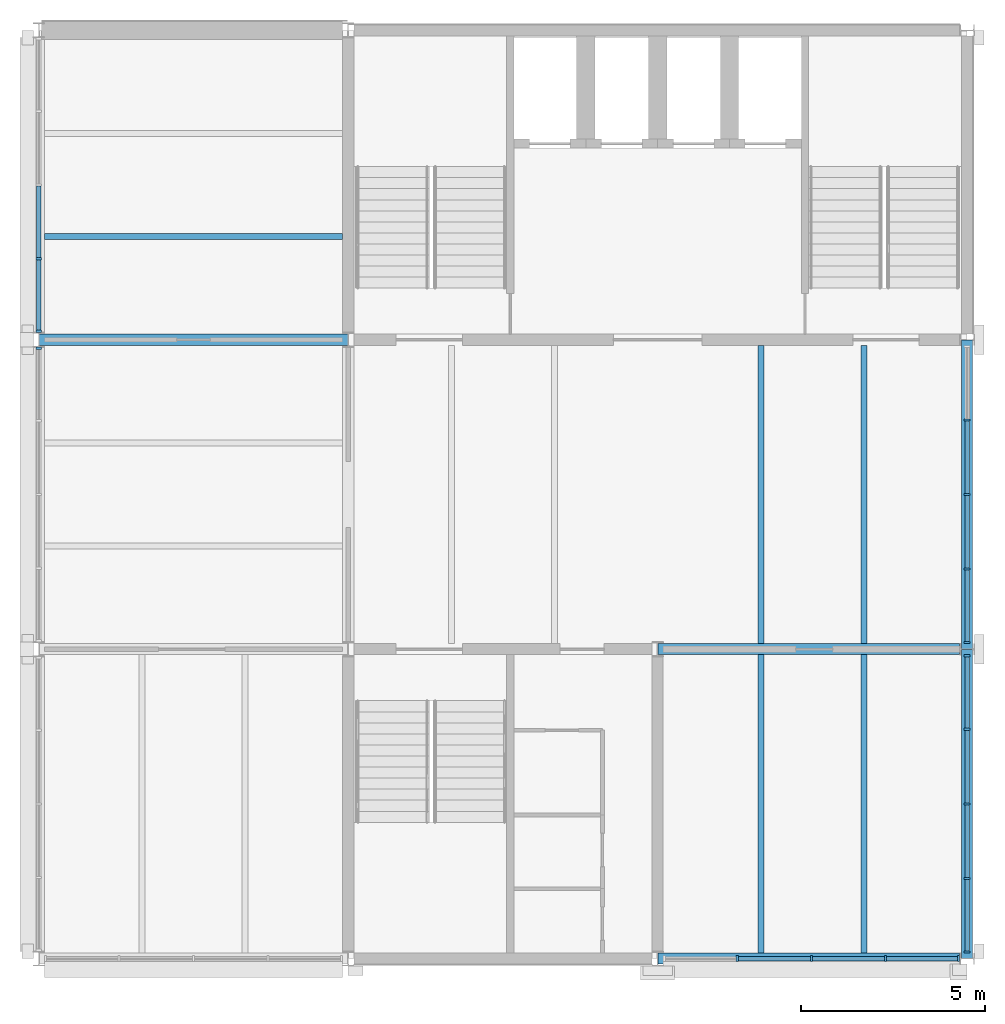
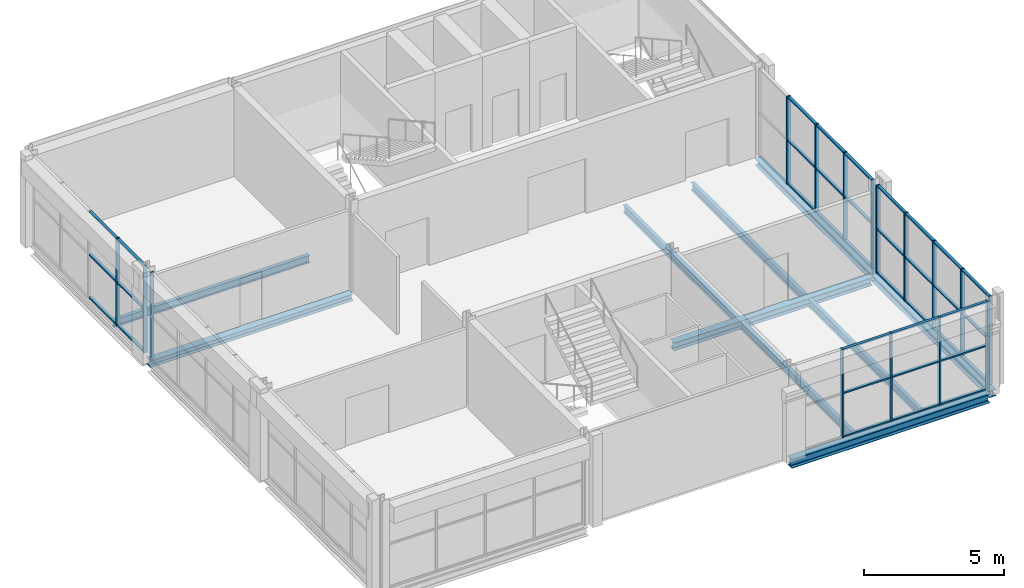
# One storey, part 3 of 8: 52 members, 10 beams, 5 elements without a shape of their own.
"""IFC4 building model written with IfcOpenShell, lengths in metres."""

from ifc_helpers import new_model, si_unit, direction, frame, origin, origin_2d, place, context, subcontext, project, spatial, rectangle, i_section, extrude, material, layer, layer_set, material_profile, profile_set, type_object, element, aggregate, save


model = new_model("IFC4")

# Units and contexts
model_context = context("Model", 3, precision=1e-05, world=origin(), true_north=direction((0.0, 1.0)))
body_context = subcontext(model_context, "Body", "Model", "MODEL_VIEW")
ifc_project = project(units=[si_unit("LENGTHUNIT", "METRE"), si_unit("AREAUNIT", "SQUARE_METRE"), si_unit("VOLUMEUNIT", "CUBIC_METRE"), si_unit("PLANEANGLEUNIT", "RADIAN"), si_unit("MASSUNIT", "GRAM", prefix="KILO")], contexts=[model_context])

# Site, building, storey
site_placement = place(None, origin())
site = spatial("IfcSite", under=ifc_project, at=site_placement, CompositionType="ELEMENT")
building_placement = place(site_placement, origin())
building = spatial("IfcBuilding", under=site, at=building_placement, Name="Galleria Vessillo Department Store", CompositionType="ELEMENT")
storey_placement = place(building_placement, frame((0.0, 0.0, 55.60009765625)))
storey = spatial("IfcBuildingStorey", under=building, at=storey_placement, Name="L12", CompositionType="ELEMENT", Elevation=55.60009765625)

# Curtain wall, member
ifc_material_1 = material(Name="Aluminium and glass curtain wall", Category="aluminium")
ifc_layer = layer(ifc_material_1, 0.159912109375)
ifc_layer_set = layer_set([ifc_layer], Name="Aluminium and glass curtain wall")
curtain_wall_type = type_object("IfcCurtainWallType", Name="Tower curtain wall CW4 2100 module", PredefinedType="NOTDEFINED", material=ifc_layer_set)
curtain_wall_1_placement = place(storey_placement, origin())
curtain_wall_1 = element("IfcCurtainWall", 1, at=curtain_wall_1_placement, inside=storey, type_object=curtain_wall_type, Name="Tower curtain wall CW4 2100 module TW-L12-02", PredefinedType="NOTDEFINED")
ifc_material_2 = material(Name="Aluminium alloy 6063 T6", Category="aluminium")
ifc_material_profile_1 = material_profile(ifc_material_2, rectangle(XDim=0.159912109375, YDim=0.06005859375, at=origin_2d()), Name="AL 60x160")
ifc_profile_set_1 = profile_set([ifc_material_profile_1], Name="Aluminium alloy 6063 T6")
member_type_1 = type_object("IfcMemberType", Name="Aluminium mullion 60 x 160", PredefinedType="MULLION", material=ifc_profile_set_1)
member_1_placement = place(storey_placement, frame((92.39990234375, 54.3701171875, 0.0), z_axis=(0.0, 0.0, 1.0), x_axis=(-1.0, 0.0, 0.0)))
member_1 = element("IfcMember", 2, at=member_1_placement, type_object=member_type_1, Name="CW4 mullion 5", PredefinedType="MULLION", context=body_context, shape_type="SweptSolid", body=[
    extrude(rectangle(XDim=0.159912109375, YDim=0.06005859375, at=origin_2d()), origin(), (0.0, 0.0, 1.0), 3.800048828125),
])
aggregate(curtain_wall_1, [member_1])

# Curtain wall, members
curtain_wall_2_placement = place(storey_placement, origin())
curtain_wall_2 = element("IfcCurtainWall", 3, at=curtain_wall_2_placement, inside=storey, type_object=curtain_wall_type, Name="Tower curtain wall CW4 2100 module TW-L12-03", PredefinedType="NOTDEFINED")
member_2_placement = place(storey_placement, frame((92.39990234375, 54.830078125, 0.0), z_axis=(0.0, 0.0, 1.0), x_axis=(-1.0, 0.0, 0.0)))
member_2 = element("IfcMember", 4, at=member_2_placement, type_object=member_type_1, Name="CW4 mullion 1", PredefinedType="MULLION", context=body_context, shape_type="SweptSolid", body=[
    extrude(rectangle(XDim=0.159912109375, YDim=0.06005859375, at=origin_2d()), origin(), (0.0, 0.0, 1.0), 3.800048828125),
])
member_3_placement = place(storey_placement, frame((92.39990234375, 56.800048828125, 0.0), z_axis=(0.0, 0.0, 1.0), x_axis=(-1.0, 0.0, 0.0)))
member_3 = element("IfcMember", 5, at=member_3_placement, type_object=member_type_1, Name="CW4 mullion 2", PredefinedType="MULLION", context=body_context, shape_type="SweptSolid", body=[
    extrude(rectangle(XDim=0.159912109375, YDim=0.06005859375, at=origin_2d()), origin(), (0.0, 0.0, 1.0), 3.800048828125),
])

curtain_wall_3_placement = place(storey_placement, origin())
curtain_wall_3 = element("IfcCurtainWall", 6, at=curtain_wall_3_placement, inside=storey, type_object=curtain_wall_type, Name="Tower curtain wall CW4 2100 module TS-L12-02", PredefinedType="NOTDEFINED")
member_4_placement = place(storey_placement, frame((111.362548828125, 37.800048828125, 0.0), z_axis=(0.0, 0.0, 1.0), x_axis=(0.0, 1.0, 0.0)))
member_4 = element("IfcMember", 7, at=member_4_placement, type_object=member_type_1, Name="CW4 mullion 2", PredefinedType="MULLION", context=body_context, shape_type="SweptSolid", body=[
    extrude(rectangle(XDim=0.159912109375, YDim=0.06005859375, at=origin_2d()), origin(), (0.0, 0.0, 1.0), 3.85009765625),
])
member_5_placement = place(storey_placement, frame((113.375, 37.800048828125, 0.0), z_axis=(0.0, 0.0, 1.0), x_axis=(0.0, 1.0, 0.0)))
member_5 = element("IfcMember", 8, at=member_5_placement, type_object=member_type_1, Name="CW4 mullion 3", PredefinedType="MULLION", context=body_context, shape_type="SweptSolid", body=[
    extrude(rectangle(XDim=0.159912109375, YDim=0.06005859375, at=origin_2d()), origin(), (0.0, 0.0, 1.0), 3.85009765625),
])
member_6_placement = place(storey_placement, frame((115.387451171875, 37.800048828125, 0.0), z_axis=(0.0, 0.0, 1.0), x_axis=(0.0, 1.0, 0.0)))
member_6 = element("IfcMember", 9, at=member_6_placement, type_object=member_type_1, Name="CW4 mullion 4", PredefinedType="MULLION", context=body_context, shape_type="SweptSolid", body=[
    extrude(rectangle(XDim=0.159912109375, YDim=0.06005859375, at=origin_2d()), origin(), (0.0, 0.0, 1.0), 3.85009765625),
])
member_7_placement = place(storey_placement, frame((117.3701171875, 37.800048828125, 0.0), z_axis=(0.0, 0.0, 1.0), x_axis=(0.0, 1.0, 0.0)))
member_7 = element("IfcMember", 10, at=member_7_placement, type_object=member_type_1, Name="CW4 mullion 5", PredefinedType="MULLION", context=body_context, shape_type="SweptSolid", body=[
    extrude(rectangle(XDim=0.159912109375, YDim=0.06005859375, at=origin_2d()), origin(), (0.0, 0.0, 1.0), 3.85009765625),
])

curtain_wall_4_placement = place(storey_placement, origin())
curtain_wall_4 = element("IfcCurtainWall", 11, at=curtain_wall_4_placement, inside=storey, type_object=curtain_wall_type, Name="Tower curtain wall CW4 2100 module TE-L12-01", PredefinedType="NOTDEFINED")
member_8_placement = place(storey_placement, frame((117.60009765625, 37.97998046875, 0.0), z_axis=(0.0, 0.0, 1.0), x_axis=(-1.0, 0.0, 0.0)))
member_8 = element("IfcMember", 12, at=member_8_placement, type_object=member_type_1, Name="CW4 mullion 1", PredefinedType="MULLION", context=body_context, shape_type="SweptSolid", body=[
    extrude(rectangle(XDim=0.159912109375, YDim=0.06005859375, at=origin_2d()), origin(), (0.0, 0.0, 1.0), 3.85009765625),
])
member_9_placement = place(storey_placement, frame((117.60009765625, 39.97509765625, 0.0), z_axis=(0.0, 0.0, 1.0), x_axis=(-1.0, 0.0, 0.0)))
member_9 = element("IfcMember", 13, at=member_9_placement, type_object=member_type_1, Name="CW4 mullion 2", PredefinedType="MULLION", context=body_context, shape_type="SweptSolid", body=[
    extrude(rectangle(XDim=0.159912109375, YDim=0.06005859375, at=origin_2d()), origin(), (0.0, 0.0, 1.0), 3.85009765625),
])
member_10_placement = place(storey_placement, frame((117.60009765625, 42.0, 0.0), z_axis=(0.0, 0.0, 1.0), x_axis=(-1.0, 0.0, 0.0)))
member_10 = element("IfcMember", 14, at=member_10_placement, type_object=member_type_1, Name="CW4 mullion 3", PredefinedType="MULLION", context=body_context, shape_type="SweptSolid", body=[
    extrude(rectangle(XDim=0.159912109375, YDim=0.06005859375, at=origin_2d()), origin(), (0.0, 0.0, 1.0), 3.85009765625),
])
member_11_placement = place(storey_placement, frame((117.60009765625, 44.02490234375, 0.0), z_axis=(0.0, 0.0, 1.0), x_axis=(-1.0, 0.0, 0.0)))
member_11 = element("IfcMember", 15, at=member_11_placement, type_object=member_type_1, Name="CW4 mullion 4", PredefinedType="MULLION", context=body_context, shape_type="SweptSolid", body=[
    extrude(rectangle(XDim=0.159912109375, YDim=0.06005859375, at=origin_2d()), origin(), (0.0, 0.0, 1.0), 3.85009765625),
])
member_12_placement = place(storey_placement, frame((117.60009765625, 46.02001953125, 0.0), z_axis=(0.0, 0.0, 1.0), x_axis=(-1.0, 0.0, 0.0)))
member_12 = element("IfcMember", 16, at=member_12_placement, type_object=member_type_1, Name="CW4 mullion 5", PredefinedType="MULLION", context=body_context, shape_type="SweptSolid", body=[
    extrude(rectangle(XDim=0.159912109375, YDim=0.06005859375, at=origin_2d()), origin(), (0.0, 0.0, 1.0), 3.85009765625),
])

curtain_wall_5_placement = place(storey_placement, origin())
curtain_wall_5 = element("IfcCurtainWall", 17, at=curtain_wall_5_placement, inside=storey, type_object=curtain_wall_type, Name="Tower curtain wall CW4 2100 module TE-L12-02", PredefinedType="NOTDEFINED")
member_13_placement = place(storey_placement, frame((117.60009765625, 46.3798828125, 0.0), z_axis=(0.0, 0.0, 1.0), x_axis=(-1.0, 0.0, 0.0)))
member_13 = element("IfcMember", 18, at=member_13_placement, type_object=member_type_1, Name="CW4 mullion 1", PredefinedType="MULLION", context=body_context, shape_type="SweptSolid", body=[
    extrude(rectangle(XDim=0.159912109375, YDim=0.06005859375, at=origin_2d()), origin(), (0.0, 0.0, 1.0), 3.85009765625),
])
member_14_placement = place(storey_placement, frame((117.60009765625, 48.375, 0.0), z_axis=(0.0, 0.0, 1.0), x_axis=(-1.0, 0.0, 0.0)))
member_14 = element("IfcMember", 19, at=member_14_placement, type_object=member_type_1, Name="CW4 mullion 2", PredefinedType="MULLION", context=body_context, shape_type="SweptSolid", body=[
    extrude(rectangle(XDim=0.159912109375, YDim=0.06005859375, at=origin_2d()), origin(), (0.0, 0.0, 1.0), 3.85009765625),
])
member_15_placement = place(storey_placement, frame((117.60009765625, 50.39990234375, 0.0), z_axis=(0.0, 0.0, 1.0), x_axis=(-1.0, 0.0, 0.0)))
member_15 = element("IfcMember", 20, at=member_15_placement, type_object=member_type_1, Name="CW4 mullion 3", PredefinedType="MULLION", context=body_context, shape_type="SweptSolid", body=[
    extrude(rectangle(XDim=0.159912109375, YDim=0.06005859375, at=origin_2d()), origin(), (0.0, 0.0, 1.0), 3.85009765625),
])
member_16_placement = place(storey_placement, frame((117.60009765625, 52.425048828125, 0.0), z_axis=(0.0, 0.0, 1.0), x_axis=(-1.0, 0.0, 0.0)))
member_16 = element("IfcMember", 21, at=member_16_placement, type_object=member_type_1, Name="CW4 mullion 4", PredefinedType="MULLION", context=body_context, shape_type="SweptSolid", body=[
    extrude(rectangle(XDim=0.159912109375, YDim=0.06005859375, at=origin_2d()), origin(), (0.0, 0.0, 1.0), 3.85009765625),
])

# Member
ifc_material_3 = material(Name="Aluminium alloy 6063 T6", Category="aluminium")
ifc_material_profile_2 = material_profile(ifc_material_3, rectangle(XDim=0.1201171875, YDim=0.06005859375, at=origin_2d()), Name="AL 60x120")
ifc_profile_set_2 = profile_set([ifc_material_profile_2], Name="Aluminium alloy 6063 T6")
member_type_2 = type_object("IfcMemberType", Name="Aluminium transom 60 x 120", PredefinedType="USERDEFINED", material=ifc_profile_set_2)
member_17_placement = place(storey_placement, frame((92.39990234375, 54.860107421875, 0.030029296875), z_axis=(0.0, 1.0, 0.0), x_axis=(-1.0, 0.0, 0.0)))
member_17 = element("IfcMember", 22, at=member_17_placement, type_object=member_type_2, Name="CW4 transom 1.1", ObjectType="TRANSOM", PredefinedType="USERDEFINED", context=body_context, shape_type="SweptSolid", body=[
    extrude(rectangle(XDim=0.1201171875, YDim=0.06005859375, at=origin_2d()), origin(), (0.0, 0.0, 1.0), 1.909912109375),
])

member_18_placement = place(storey_placement, frame((92.39990234375, 54.860107421875, 1.89990234375), z_axis=(0.0, 1.0, 0.0), x_axis=(-1.0, 0.0, 0.0)))
member_18 = element("IfcMember", 23, at=member_18_placement, type_object=member_type_2, Name="CW4 transom 1.2", ObjectType="TRANSOM", PredefinedType="USERDEFINED", context=body_context, shape_type="SweptSolid", body=[
    extrude(rectangle(XDim=0.1201171875, YDim=0.06005859375, at=origin_2d()), origin(), (0.0, 0.0, 1.0), 1.909912109375),
])

member_19_placement = place(storey_placement, frame((92.39990234375, 54.860107421875, 3.77001953125), z_axis=(0.0, 1.0, 0.0), x_axis=(-1.0, 0.0, 0.0)))
member_19 = element("IfcMember", 24, at=member_19_placement, type_object=member_type_2, Name="CW4 transom 1.3", ObjectType="TRANSOM", PredefinedType="USERDEFINED", context=body_context, shape_type="SweptSolid", body=[
    extrude(rectangle(XDim=0.1201171875, YDim=0.06005859375, at=origin_2d()), origin(), (0.0, 0.0, 1.0), 1.909912109375),
])

member_20_placement = place(storey_placement, frame((92.39990234375, 56.830078125, 0.030029296875), z_axis=(0.0, 1.0, 0.0), x_axis=(-1.0, 0.0, 0.0)))
member_20 = element("IfcMember", 25, at=member_20_placement, type_object=member_type_2, Name="CW4 transom 2.1", ObjectType="TRANSOM", PredefinedType="USERDEFINED", context=body_context, shape_type="SweptSolid", body=[
    extrude(rectangle(XDim=0.1201171875, YDim=0.06005859375, at=origin_2d()), origin(), (0.0, 0.0, 1.0), 1.93994140625),
])

member_21_placement = place(storey_placement, frame((92.39990234375, 56.830078125, 1.89990234375), z_axis=(0.0, 1.0, 0.0), x_axis=(-1.0, 0.0, 0.0)))
member_21 = element("IfcMember", 26, at=member_21_placement, type_object=member_type_2, Name="CW4 transom 2.2", ObjectType="TRANSOM", PredefinedType="USERDEFINED", context=body_context, shape_type="SweptSolid", body=[
    extrude(rectangle(XDim=0.1201171875, YDim=0.06005859375, at=origin_2d()), origin(), (0.0, 0.0, 1.0), 1.93994140625),
])

member_22_placement = place(storey_placement, frame((92.39990234375, 56.830078125, 3.77001953125), z_axis=(0.0, 1.0, 0.0), x_axis=(-1.0, 0.0, 0.0)))
member_22 = element("IfcMember", 27, at=member_22_placement, type_object=member_type_2, Name="CW4 transom 2.3", ObjectType="TRANSOM", PredefinedType="USERDEFINED", context=body_context, shape_type="SweptSolid", body=[
    extrude(rectangle(XDim=0.1201171875, YDim=0.06005859375, at=origin_2d()), origin(), (0.0, 0.0, 1.0), 1.93994140625),
])

aggregate(curtain_wall_2, [member_2, member_3, member_17, member_18, member_19, member_20, member_21, member_22])

member_23_placement = place(storey_placement, frame((111.392333984375, 37.800048828125, 0.030029296875), z_axis=(1.0, 0.0, 0.0), x_axis=(0.0, 1.0, 0.0)))
member_23 = element("IfcMember", 28, at=member_23_placement, type_object=member_type_2, Name="CW4 transom 2.1", ObjectType="TRANSOM", PredefinedType="USERDEFINED", context=body_context, shape_type="SweptSolid", body=[
    extrude(rectangle(XDim=0.1201171875, YDim=0.06005859375, at=origin_2d()), origin(), (0.0, 0.0, 1.0), 1.95263671875),
])

member_24_placement = place(storey_placement, frame((111.392333984375, 37.800048828125, 1.925048828125), z_axis=(1.0, 0.0, 0.0), x_axis=(0.0, 1.0, 0.0)))
member_24 = element("IfcMember", 29, at=member_24_placement, type_object=member_type_2, Name="CW4 transom 2.2", ObjectType="TRANSOM", PredefinedType="USERDEFINED", context=body_context, shape_type="SweptSolid", body=[
    extrude(rectangle(XDim=0.1201171875, YDim=0.06005859375, at=origin_2d()), origin(), (0.0, 0.0, 1.0), 1.95263671875),
])

member_25_placement = place(storey_placement, frame((111.392333984375, 37.800048828125, 3.820068359375), z_axis=(1.0, 0.0, 0.0), x_axis=(0.0, 1.0, 0.0)))
member_25 = element("IfcMember", 30, at=member_25_placement, type_object=member_type_2, Name="CW4 transom 2.3", ObjectType="TRANSOM", PredefinedType="USERDEFINED", context=body_context, shape_type="SweptSolid", body=[
    extrude(rectangle(XDim=0.1201171875, YDim=0.06005859375, at=origin_2d()), origin(), (0.0, 0.0, 1.0), 1.95263671875),
])

member_26_placement = place(storey_placement, frame((113.405029296875, 37.800048828125, 0.030029296875), z_axis=(1.0, 0.0, 0.0), x_axis=(0.0, 1.0, 0.0)))
member_26 = element("IfcMember", 31, at=member_26_placement, type_object=member_type_2, Name="CW4 transom 3.1", ObjectType="TRANSOM", PredefinedType="USERDEFINED", context=body_context, shape_type="SweptSolid", body=[
    extrude(rectangle(XDim=0.1201171875, YDim=0.06005859375, at=origin_2d()), origin(), (0.0, 0.0, 1.0), 1.95263671875),
])

member_27_placement = place(storey_placement, frame((113.405029296875, 37.800048828125, 1.925048828125), z_axis=(1.0, 0.0, 0.0), x_axis=(0.0, 1.0, 0.0)))
member_27 = element("IfcMember", 32, at=member_27_placement, type_object=member_type_2, Name="CW4 transom 3.2", ObjectType="TRANSOM", PredefinedType="USERDEFINED", context=body_context, shape_type="SweptSolid", body=[
    extrude(rectangle(XDim=0.1201171875, YDim=0.06005859375, at=origin_2d()), origin(), (0.0, 0.0, 1.0), 1.95263671875),
])

member_28_placement = place(storey_placement, frame((113.405029296875, 37.800048828125, 3.820068359375), z_axis=(1.0, 0.0, 0.0), x_axis=(0.0, 1.0, 0.0)))
member_28 = element("IfcMember", 33, at=member_28_placement, type_object=member_type_2, Name="CW4 transom 3.3", ObjectType="TRANSOM", PredefinedType="USERDEFINED", context=body_context, shape_type="SweptSolid", body=[
    extrude(rectangle(XDim=0.1201171875, YDim=0.06005859375, at=origin_2d()), origin(), (0.0, 0.0, 1.0), 1.95263671875),
])

member_29_placement = place(storey_placement, frame((115.41748046875, 37.800048828125, 0.030029296875), z_axis=(1.0, 0.0, 0.0), x_axis=(0.0, 1.0, 0.0)))
member_29 = element("IfcMember", 34, at=member_29_placement, type_object=member_type_2, Name="CW4 transom 4.1", ObjectType="TRANSOM", PredefinedType="USERDEFINED", context=body_context, shape_type="SweptSolid", body=[
    extrude(rectangle(XDim=0.1201171875, YDim=0.06005859375, at=origin_2d()), origin(), (0.0, 0.0, 1.0), 1.922607421875),
])

member_30_placement = place(storey_placement, frame((115.41748046875, 37.800048828125, 1.925048828125), z_axis=(1.0, 0.0, 0.0), x_axis=(0.0, 1.0, 0.0)))
member_30 = element("IfcMember", 35, at=member_30_placement, type_object=member_type_2, Name="CW4 transom 4.2", ObjectType="TRANSOM", PredefinedType="USERDEFINED", context=body_context, shape_type="SweptSolid", body=[
    extrude(rectangle(XDim=0.1201171875, YDim=0.06005859375, at=origin_2d()), origin(), (0.0, 0.0, 1.0), 1.922607421875),
])

member_31_placement = place(storey_placement, frame((115.41748046875, 37.800048828125, 3.820068359375), z_axis=(1.0, 0.0, 0.0), x_axis=(0.0, 1.0, 0.0)))
member_31 = element("IfcMember", 36, at=member_31_placement, type_object=member_type_2, Name="CW4 transom 4.3", ObjectType="TRANSOM", PredefinedType="USERDEFINED", context=body_context, shape_type="SweptSolid", body=[
    extrude(rectangle(XDim=0.1201171875, YDim=0.06005859375, at=origin_2d()), origin(), (0.0, 0.0, 1.0), 1.922607421875),
])

aggregate(curtain_wall_3, [member_4, member_5, member_6, member_7, member_23, member_24, member_25, member_26, member_27, member_28, member_29, member_30, member_31])

member_32_placement = place(storey_placement, frame((117.60009765625, 38.010009765625, 0.030029296875), z_axis=(0.0, 1.0, 0.0), x_axis=(-1.0, 0.0, 0.0)))
member_32 = element("IfcMember", 37, at=member_32_placement, type_object=member_type_2, Name="CW4 transom 1.1", ObjectType="TRANSOM", PredefinedType="USERDEFINED", context=body_context, shape_type="SweptSolid", body=[
    extrude(rectangle(XDim=0.1201171875, YDim=0.06005859375, at=origin_2d()), origin(), (0.0, 0.0, 1.0), 1.93505859375),
])

member_33_placement = place(storey_placement, frame((117.60009765625, 38.010009765625, 1.925048828125), z_axis=(0.0, 1.0, 0.0), x_axis=(-1.0, 0.0, 0.0)))
member_33 = element("IfcMember", 38, at=member_33_placement, type_object=member_type_2, Name="CW4 transom 1.2", ObjectType="TRANSOM", PredefinedType="USERDEFINED", context=body_context, shape_type="SweptSolid", body=[
    extrude(rectangle(XDim=0.1201171875, YDim=0.06005859375, at=origin_2d()), origin(), (0.0, 0.0, 1.0), 1.93505859375),
])

member_34_placement = place(storey_placement, frame((117.60009765625, 38.010009765625, 3.820068359375), z_axis=(0.0, 1.0, 0.0), x_axis=(-1.0, 0.0, 0.0)))
member_34 = element("IfcMember", 39, at=member_34_placement, type_object=member_type_2, Name="CW4 transom 1.3", ObjectType="TRANSOM", PredefinedType="USERDEFINED", context=body_context, shape_type="SweptSolid", body=[
    extrude(rectangle(XDim=0.1201171875, YDim=0.06005859375, at=origin_2d()), origin(), (0.0, 0.0, 1.0), 1.93505859375),
])

member_35_placement = place(storey_placement, frame((117.60009765625, 40.0048828125, 0.030029296875), z_axis=(0.0, 1.0, 0.0), x_axis=(-1.0, 0.0, 0.0)))
member_35 = element("IfcMember", 40, at=member_35_placement, type_object=member_type_2, Name="CW4 transom 2.1", ObjectType="TRANSOM", PredefinedType="USERDEFINED", context=body_context, shape_type="SweptSolid", body=[
    extrude(rectangle(XDim=0.1201171875, YDim=0.06005859375, at=origin_2d()), origin(), (0.0, 0.0, 1.0), 1.965087890625),
])

member_36_placement = place(storey_placement, frame((117.60009765625, 40.0048828125, 1.925048828125), z_axis=(0.0, 1.0, 0.0), x_axis=(-1.0, 0.0, 0.0)))
member_36 = element("IfcMember", 41, at=member_36_placement, type_object=member_type_2, Name="CW4 transom 2.2", ObjectType="TRANSOM", PredefinedType="USERDEFINED", context=body_context, shape_type="SweptSolid", body=[
    extrude(rectangle(XDim=0.1201171875, YDim=0.06005859375, at=origin_2d()), origin(), (0.0, 0.0, 1.0), 1.965087890625),
])

member_37_placement = place(storey_placement, frame((117.60009765625, 40.0048828125, 3.820068359375), z_axis=(0.0, 1.0, 0.0), x_axis=(-1.0, 0.0, 0.0)))
member_37 = element("IfcMember", 42, at=member_37_placement, type_object=member_type_2, Name="CW4 transom 2.3", ObjectType="TRANSOM", PredefinedType="USERDEFINED", context=body_context, shape_type="SweptSolid", body=[
    extrude(rectangle(XDim=0.1201171875, YDim=0.06005859375, at=origin_2d()), origin(), (0.0, 0.0, 1.0), 1.965087890625),
])

member_38_placement = place(storey_placement, frame((117.60009765625, 42.030029296875, 0.030029296875), z_axis=(0.0, 1.0, 0.0), x_axis=(-1.0, 0.0, 0.0)))
member_38 = element("IfcMember", 43, at=member_38_placement, type_object=member_type_2, Name="CW4 transom 3.1", ObjectType="TRANSOM", PredefinedType="USERDEFINED", context=body_context, shape_type="SweptSolid", body=[
    extrude(rectangle(XDim=0.1201171875, YDim=0.06005859375, at=origin_2d()), origin(), (0.0, 0.0, 1.0), 1.965087890625),
])

member_39_placement = place(storey_placement, frame((117.60009765625, 42.030029296875, 1.925048828125), z_axis=(0.0, 1.0, 0.0), x_axis=(-1.0, 0.0, 0.0)))
member_39 = element("IfcMember", 44, at=member_39_placement, type_object=member_type_2, Name="CW4 transom 3.2", ObjectType="TRANSOM", PredefinedType="USERDEFINED", context=body_context, shape_type="SweptSolid", body=[
    extrude(rectangle(XDim=0.1201171875, YDim=0.06005859375, at=origin_2d()), origin(), (0.0, 0.0, 1.0), 1.965087890625),
])

member_40_placement = place(storey_placement, frame((117.60009765625, 42.030029296875, 3.820068359375), z_axis=(0.0, 1.0, 0.0), x_axis=(-1.0, 0.0, 0.0)))
member_40 = element("IfcMember", 45, at=member_40_placement, type_object=member_type_2, Name="CW4 transom 3.3", ObjectType="TRANSOM", PredefinedType="USERDEFINED", context=body_context, shape_type="SweptSolid", body=[
    extrude(rectangle(XDim=0.1201171875, YDim=0.06005859375, at=origin_2d()), origin(), (0.0, 0.0, 1.0), 1.965087890625),
])

member_41_placement = place(storey_placement, frame((117.60009765625, 44.054931640625, 0.030029296875), z_axis=(0.0, 1.0, 0.0), x_axis=(-1.0, 0.0, 0.0)))
member_41 = element("IfcMember", 46, at=member_41_placement, type_object=member_type_2, Name="CW4 transom 4.1", ObjectType="TRANSOM", PredefinedType="USERDEFINED", context=body_context, shape_type="SweptSolid", body=[
    extrude(rectangle(XDim=0.1201171875, YDim=0.06005859375, at=origin_2d()), origin(), (0.0, 0.0, 1.0), 1.93505859375),
])

member_42_placement = place(storey_placement, frame((117.60009765625, 44.054931640625, 1.925048828125), z_axis=(0.0, 1.0, 0.0), x_axis=(-1.0, 0.0, 0.0)))
member_42 = element("IfcMember", 47, at=member_42_placement, type_object=member_type_2, Name="CW4 transom 4.2", ObjectType="TRANSOM", PredefinedType="USERDEFINED", context=body_context, shape_type="SweptSolid", body=[
    extrude(rectangle(XDim=0.1201171875, YDim=0.06005859375, at=origin_2d()), origin(), (0.0, 0.0, 1.0), 1.93505859375),
])

member_43_placement = place(storey_placement, frame((117.60009765625, 44.054931640625, 3.820068359375), z_axis=(0.0, 1.0, 0.0), x_axis=(-1.0, 0.0, 0.0)))
member_43 = element("IfcMember", 48, at=member_43_placement, type_object=member_type_2, Name="CW4 transom 4.3", ObjectType="TRANSOM", PredefinedType="USERDEFINED", context=body_context, shape_type="SweptSolid", body=[
    extrude(rectangle(XDim=0.1201171875, YDim=0.06005859375, at=origin_2d()), origin(), (0.0, 0.0, 1.0), 1.93505859375),
])

aggregate(curtain_wall_4, [member_8, member_9, member_10, member_11, member_12, member_32, member_33, member_34, member_35, member_36, member_37, member_38, member_39, member_40, member_41, member_42, member_43])

member_44_placement = place(storey_placement, frame((117.60009765625, 46.409912109375, 0.030029296875), z_axis=(0.0, 1.0, 0.0), x_axis=(-1.0, 0.0, 0.0)))
member_44 = element("IfcMember", 49, at=member_44_placement, type_object=member_type_2, Name="CW4 transom 1.1", ObjectType="TRANSOM", PredefinedType="USERDEFINED", context=body_context, shape_type="SweptSolid", body=[
    extrude(rectangle(XDim=0.1201171875, YDim=0.06005859375, at=origin_2d()), origin(), (0.0, 0.0, 1.0), 1.93505859375),
])

member_45_placement = place(storey_placement, frame((117.60009765625, 46.409912109375, 1.925048828125), z_axis=(0.0, 1.0, 0.0), x_axis=(-1.0, 0.0, 0.0)))
member_45 = element("IfcMember", 50, at=member_45_placement, type_object=member_type_2, Name="CW4 transom 1.2", ObjectType="TRANSOM", PredefinedType="USERDEFINED", context=body_context, shape_type="SweptSolid", body=[
    extrude(rectangle(XDim=0.1201171875, YDim=0.06005859375, at=origin_2d()), origin(), (0.0, 0.0, 1.0), 1.93505859375),
])

member_46_placement = place(storey_placement, frame((117.60009765625, 46.409912109375, 3.820068359375), z_axis=(0.0, 1.0, 0.0), x_axis=(-1.0, 0.0, 0.0)))
member_46 = element("IfcMember", 51, at=member_46_placement, type_object=member_type_2, Name="CW4 transom 1.3", ObjectType="TRANSOM", PredefinedType="USERDEFINED", context=body_context, shape_type="SweptSolid", body=[
    extrude(rectangle(XDim=0.1201171875, YDim=0.06005859375, at=origin_2d()), origin(), (0.0, 0.0, 1.0), 1.93505859375),
])

member_47_placement = place(storey_placement, frame((117.60009765625, 48.405029296875, 0.030029296875), z_axis=(0.0, 1.0, 0.0), x_axis=(-1.0, 0.0, 0.0)))
member_47 = element("IfcMember", 52, at=member_47_placement, type_object=member_type_2, Name="CW4 transom 2.1", ObjectType="TRANSOM", PredefinedType="USERDEFINED", context=body_context, shape_type="SweptSolid", body=[
    extrude(rectangle(XDim=0.1201171875, YDim=0.06005859375, at=origin_2d()), origin(), (0.0, 0.0, 1.0), 1.965087890625),
])

member_48_placement = place(storey_placement, frame((117.60009765625, 48.405029296875, 1.925048828125), z_axis=(0.0, 1.0, 0.0), x_axis=(-1.0, 0.0, 0.0)))
member_48 = element("IfcMember", 53, at=member_48_placement, type_object=member_type_2, Name="CW4 transom 2.2", ObjectType="TRANSOM", PredefinedType="USERDEFINED", context=body_context, shape_type="SweptSolid", body=[
    extrude(rectangle(XDim=0.1201171875, YDim=0.06005859375, at=origin_2d()), origin(), (0.0, 0.0, 1.0), 1.965087890625),
])

member_49_placement = place(storey_placement, frame((117.60009765625, 48.405029296875, 3.820068359375), z_axis=(0.0, 1.0, 0.0), x_axis=(-1.0, 0.0, 0.0)))
member_49 = element("IfcMember", 54, at=member_49_placement, type_object=member_type_2, Name="CW4 transom 2.3", ObjectType="TRANSOM", PredefinedType="USERDEFINED", context=body_context, shape_type="SweptSolid", body=[
    extrude(rectangle(XDim=0.1201171875, YDim=0.06005859375, at=origin_2d()), origin(), (0.0, 0.0, 1.0), 1.965087890625),
])

member_50_placement = place(storey_placement, frame((117.60009765625, 50.429931640625, 0.030029296875), z_axis=(0.0, 1.0, 0.0), x_axis=(-1.0, 0.0, 0.0)))
member_50 = element("IfcMember", 55, at=member_50_placement, type_object=member_type_2, Name="CW4 transom 3.1", ObjectType="TRANSOM", PredefinedType="USERDEFINED", context=body_context, shape_type="SweptSolid", body=[
    extrude(rectangle(XDim=0.1201171875, YDim=0.06005859375, at=origin_2d()), origin(), (0.0, 0.0, 1.0), 1.965087890625),
])

member_51_placement = place(storey_placement, frame((117.60009765625, 50.429931640625, 1.925048828125), z_axis=(0.0, 1.0, 0.0), x_axis=(-1.0, 0.0, 0.0)))
member_51 = element("IfcMember", 56, at=member_51_placement, type_object=member_type_2, Name="CW4 transom 3.2", ObjectType="TRANSOM", PredefinedType="USERDEFINED", context=body_context, shape_type="SweptSolid", body=[
    extrude(rectangle(XDim=0.1201171875, YDim=0.06005859375, at=origin_2d()), origin(), (0.0, 0.0, 1.0), 1.965087890625),
])

member_52_placement = place(storey_placement, frame((117.60009765625, 50.429931640625, 3.820068359375), z_axis=(0.0, 1.0, 0.0), x_axis=(-1.0, 0.0, 0.0)))
member_52 = element("IfcMember", 57, at=member_52_placement, type_object=member_type_2, Name="CW4 transom 3.3", ObjectType="TRANSOM", PredefinedType="USERDEFINED", context=body_context, shape_type="SweptSolid", body=[
    extrude(rectangle(XDim=0.1201171875, YDim=0.06005859375, at=origin_2d()), origin(), (0.0, 0.0, 1.0), 1.965087890625),
])

aggregate(curtain_wall_5, [member_13, member_14, member_15, member_16, member_44, member_45, member_46, member_47, member_48, member_49, member_50, member_51, member_52])

# Beams
ifc_material_4 = material(Name="Steel S355 J2", Category="steel")
ifc_material_profile_3 = material_profile(ifc_material_4, i_section(OverallWidth=0.300048828125, OverallDepth=0.35009765625, WebThickness=0.010009765625, FlangeThickness=0.017578125, FilletRadius=0.027099609375, at=origin_2d()), Name="HEA 360")
ifc_profile_set_3 = profile_set([ifc_material_profile_3], Name="Steel S355 J2")
beam_type_1 = type_object("IfcBeamType", Name="Floor girder HEA 360", PredefinedType="BEAM", material=ifc_profile_set_3)
beam_1_placement = place(storey_placement, frame((109.206787109375, 46.199951171875, -0.324951171875), z_axis=(1.0, 0.0, 0.0), x_axis=(0.0, 1.0, 0.0)))
element("IfcBeam", 58, at=beam_1_placement, inside=storey, type_object=beam_type_1, Name="S-BM-L12-GI-x46200-109207", PredefinedType="BEAM", context=body_context, shape_type="SweptSolid", body=[
    extrude(i_section(OverallWidth=0.300048828125, OverallDepth=0.35009765625, WebThickness=0.010009765625, FlangeThickness=0.017578125, FilletRadius=0.027099609375, at=origin_2d()), origin(), (0.0, 0.0, 1.0), 8.193115234375),
])
ifc_material_5 = material(Name="Steel S355 J2", Category="steel")
ifc_material_profile_4 = material_profile(ifc_material_5, i_section(OverallWidth=0.159912109375, OverallDepth=0.330078125, WebThickness=0.007568359375, FlangeThickness=0.011474609375, FilletRadius=0.01806640625, at=origin_2d()), Name="IPE 330")
ifc_profile_set_4 = profile_set([ifc_material_profile_4], Name="Steel S355 J2")
beam_type_2 = type_object("IfcBeamType", Name="Floor joist IPE 330", PredefinedType="JOIST", material=ifc_profile_set_4)
beam_2_placement = place(storey_placement, frame((92.550048828125, 57.39990234375, -0.31494140625), z_axis=(1.0, 0.0, 0.0), x_axis=(0.0, 1.0, 0.0)))
element("IfcBeam", 59, at=beam_2_placement, inside=storey, type_object=beam_type_2, Name="S-BM-L12-JO-x57400-92550", PredefinedType="JOIST", context=body_context, shape_type="SweptSolid", body=[
    extrude(i_section(OverallWidth=0.159912109375, OverallDepth=0.330078125, WebThickness=0.007568359375, FlangeThickness=0.011474609375, FilletRadius=0.01806640625, at=origin_2d()), origin(), (0.0, 0.0, 1.0), 8.099853515625),
])
for number, where, z_axis, x_axis, name in (
    (60, (112.0, 37.9501953125, -0.31494140625), (0.0, 1.0, 0.0), (-1.0, 0.0, 0.0), "S-BM-L12-JO-y112000-37950"),
    (61, (114.800048828125, 37.9501953125, -0.31494140625), (0.0, 1.0, 0.0), (-1.0, 0.0, 0.0), "S-BM-L12-JO-y114800-37950"),
):
    element("IfcBeam", number, at=place(storey_placement, frame(where, z_axis=z_axis, x_axis=x_axis)), inside=storey, type_object=beam_type_2, Name=name, PredefinedType="JOIST", context=body_context, shape_type="SweptSolid", body=[
        extrude(i_section(OverallWidth=0.159912109375, OverallDepth=0.330078125, WebThickness=0.007568359375, FlangeThickness=0.011474609375, FilletRadius=0.01806640625, at=origin_2d()), origin(), (0.0, 0.0, 1.0), 8.099609375),
    ])
for number, where, z_axis, x_axis, name in (
    (62, (112.0, 46.35009765625, -0.31494140625), (0.0, 1.0, 0.0), (-1.0, 0.0, 0.0), "S-BM-L12-JO-y112000-46350"),
    (63, (114.800048828125, 46.35009765625, -0.31494140625), (0.0, 1.0, 0.0), (-1.0, 0.0, 0.0), "S-BM-L12-JO-y114800-46350"),
):
    element("IfcBeam", number, at=place(storey_placement, frame(where, z_axis=z_axis, x_axis=x_axis)), inside=storey, type_object=beam_type_2, Name=name, PredefinedType="JOIST", context=body_context, shape_type="SweptSolid", body=[
        extrude(i_section(OverallWidth=0.159912109375, OverallDepth=0.330078125, WebThickness=0.007568359375, FlangeThickness=0.011474609375, FilletRadius=0.01806640625, at=origin_2d()), origin(), (0.0, 0.0, 1.0), 8.099853515625),
    ])
ifc_material_6 = material(Name="Steel S355 J2", Category="steel")
ifc_material_profile_5 = material_profile(ifc_material_6, i_section(OverallWidth=0.300048828125, OverallDepth=0.2900390625, WebThickness=0.008544921875, FlangeThickness=0.013916015625, FilletRadius=0.027099609375, at=origin_2d()), Name="HEA 300")
ifc_profile_set_5 = profile_set([ifc_material_profile_5], Name="Steel S355 J2")
beam_type_3 = type_object("IfcBeamType", Name="Floor tie girder HEA 300", PredefinedType="BEAM", material=ifc_profile_set_5)
beam_3_placement = place(storey_placement, frame((92.406982421875, 54.60009765625, -0.294921875), z_axis=(1.0, 0.0, 0.0), x_axis=(0.0, 1.0, 0.0)))
element("IfcBeam", 64, at=beam_3_placement, inside=storey, type_object=beam_type_3, Name="S-BM-L12-TI-x54600-92407", PredefinedType="BEAM", context=body_context, shape_type="SweptSolid", body=[
    extrude(i_section(OverallWidth=0.300048828125, OverallDepth=0.2900390625, WebThickness=0.008544921875, FlangeThickness=0.013916015625, FilletRadius=0.027099609375, at=origin_2d()), origin(), (0.0, 0.0, 1.0), 8.38623046875),
])
ifc_material_7 = material(Name="Steel S355 J2", Category="steel")
ifc_material_profile_6 = material_profile(ifc_material_7, i_section(OverallWidth=0.300048828125, OverallDepth=0.2900390625, WebThickness=0.008544921875, FlangeThickness=0.013916015625, FilletRadius=0.027099609375, at=origin_2d()), Name="HEA 300")
ifc_profile_set_6 = profile_set([ifc_material_profile_6], Name="Steel S355 J2")
beam_type_4 = type_object("IfcBeamType", Name="Spandrel beam HEA 300", PredefinedType="SPANDREL", material=ifc_profile_set_6)
for number, where, z_axis, x_axis, name in (
    (65, (117.60009765625, 37.806884765625, -0.294921875), (0.0, 1.0, 0.0), (-1.0, 0.0, 0.0), "S-BM-L12-SP-y117600-37807"),
    (66, (117.60009765625, 46.206787109375, -0.294921875), (0.0, 1.0, 0.0), (-1.0, 0.0, 0.0), "S-BM-L12-SP-y117600-46207"),
):
    element("IfcBeam", number, at=place(storey_placement, frame(where, z_axis=z_axis, x_axis=x_axis)), inside=storey, type_object=beam_type_4, Name=name, PredefinedType="SPANDREL", context=body_context, shape_type="SweptSolid", body=[
        extrude(i_section(OverallWidth=0.300048828125, OverallDepth=0.2900390625, WebThickness=0.008544921875, FlangeThickness=0.013916015625, FilletRadius=0.027099609375, at=origin_2d()), origin(), (0.0, 0.0, 1.0), 8.38623046875),
    ])
ifc_material_8 = material(Name="Steel S355 J2", Category="steel")
ifc_material_profile_7 = material_profile(ifc_material_8, i_section(OverallWidth=0.300048828125, OverallDepth=0.389892578125, WebThickness=0.010986328125, FlangeThickness=0.01904296875, FilletRadius=0.027099609375, at=origin_2d()), Name="HEA 400")
ifc_profile_set_7 = profile_set([ifc_material_profile_7], Name="Steel S355 J2")
beam_type_5 = type_object("IfcBeamType", Name="Trimmer beam HEA 400", PredefinedType="BEAM", material=ifc_profile_set_7)
beam_4_placement = place(storey_placement, frame((109.206787109375, 37.800048828125, -0.344970703125), z_axis=(1.0, 0.0, 0.0), x_axis=(0.0, 1.0, 0.0)))
element("IfcBeam", 67, at=beam_4_placement, inside=storey, type_object=beam_type_5, Name="S-BM-L12-TR-x37800-109207", PredefinedType="BEAM", context=body_context, shape_type="SweptSolid", body=[
    extrude(i_section(OverallWidth=0.300048828125, OverallDepth=0.389892578125, WebThickness=0.010986328125, FlangeThickness=0.01904296875, FilletRadius=0.027099609375, at=origin_2d()), origin(), (0.0, 0.0, 1.0), 8.193115234375),
])

save(model, "model.ifc")
